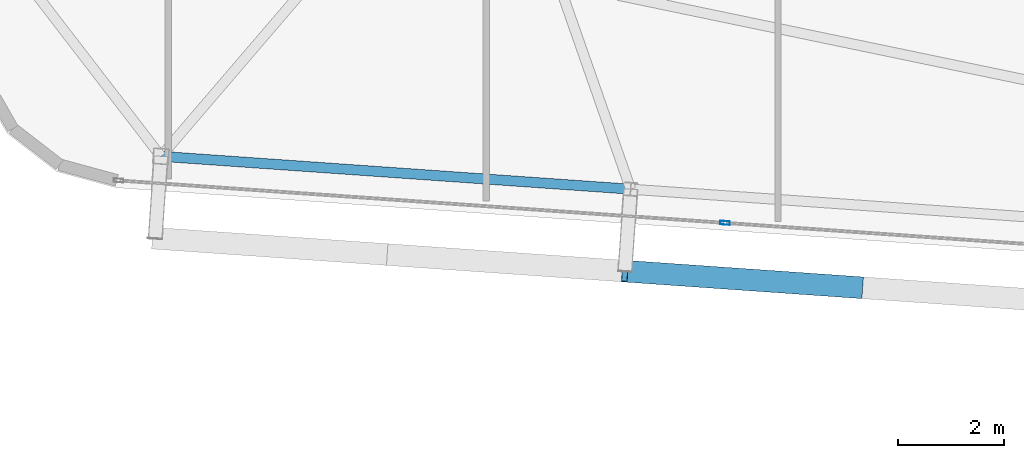
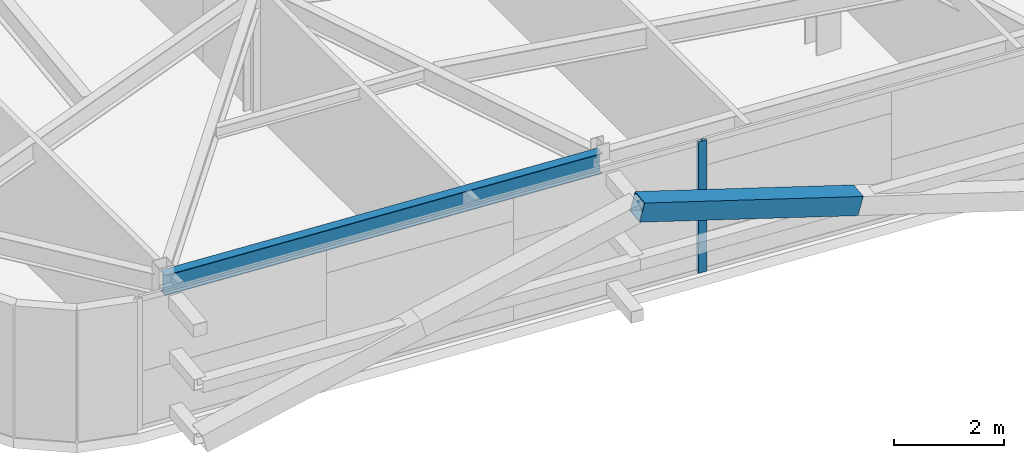
# One storey, part 7 of 39: 2 members, 1 beam, 1 element without a shape of its own.
"""IFC4 building model written with IfcOpenShell, lengths in metres."""

from ifc_helpers import new_model, si_unit, direction, frame, origin, origin_2d, place, context, subcontext, project, spatial, hollow_rectangle, i_section, extrude, source, transform, mapped, material, layer, layer_set, material_profile, profile_set, type_object, element, aggregate, save


model = new_model("IFC4")

# Units and contexts
model_context = context("Model", 3, precision=1e-05, world=origin(), true_north=direction((0.0, 1.0)))
body_context = subcontext(model_context, "Body", "Model", "MODEL_VIEW")
ifc_project = project(units=[si_unit("LENGTHUNIT", "METRE"), si_unit("AREAUNIT", "SQUARE_METRE"), si_unit("VOLUMEUNIT", "CUBIC_METRE"), si_unit("PLANEANGLEUNIT", "RADIAN"), si_unit("MASSUNIT", "GRAM", prefix="KILO")], contexts=[model_context])

# Site, building, storey
site_placement = place(None, origin())
site = spatial("IfcSite", under=ifc_project, at=site_placement, CompositionType="ELEMENT")
building_placement = place(site_placement, origin())
building = spatial("IfcBuilding", under=site, at=building_placement, Name="Taldren Reach Tower", CompositionType="ELEMENT")
storey_placement = place(building_placement, frame((0.0, 0.0, 120.39990234375)))
storey = spatial("IfcBuildingStorey", under=building, at=storey_placement, Name="L36", CompositionType="ELEMENT", Elevation=120.39990234375)

# Beam
ifc_material_1 = material(Name="Steel Gr 350 (350PLUS)", Category="steel")
ifc_material_profile_1 = material_profile(ifc_material_1, i_section(OverallWidth=0.18994140625, OverallDepth=0.4541015625, WebThickness=0.008544921875, FlangeThickness=0.0126953125, at=origin_2d()), Name="460UB67.1")
ifc_profile_set_1 = profile_set([ifc_material_profile_1], Name="Steel Gr 350 (350PLUS)")
beam_type = type_object("IfcBeamType", Name="SP-UB460B", PredefinedType="SPANDREL", material=ifc_profile_set_1)
shared_shape_1 = source(origin(), body_context, "Body", "SweptSolid", [
    extrude(i_section(OverallWidth=0.18994140625, OverallDepth=0.4541015625, WebThickness=0.008544921875, FlangeThickness=0.0126953125, at=origin_2d()), origin(), (0.0, 0.0, 1.0), 8.880126953125),
])
beam_placement = place(storey_placement, frame((11.863525390625, 5.33837890625, 2.703125), z_axis=(0.997564479639, -0.069750333063, 0.0), x_axis=(0.069750333063, 0.997564479639, 0.0)))
element("IfcBeam", 1, at=beam_placement, inside=storey, type_object=beam_type, Name="Perimeter spandrel B3 S1-S2 L36", PredefinedType="SPANDREL", context=body_context, shape_type="MappedRepresentation", body=[
    mapped(shared_shape_1, transform((0.0, 0.0, 0.0), scale=1.0)),
])

# Member
ifc_material_2 = material(Name="Steel Gr 450 (C450L0)", Category="steel")
ifc_material_profile_2 = material_profile(ifc_material_2, hollow_rectangle(XDim=0.409912109375, YDim=0.409912109375, WallThickness=0.01611328125, at=origin_2d()), Name="410x410x16.0SHS")
ifc_profile_set_2 = profile_set([ifc_material_profile_2], Name="Steel Gr 450 (C450L0)")
member_type_1 = type_object("IfcMemberType", Name="MB-EXO406", PredefinedType="BRACE", material=ifc_profile_set_2)
shared_shape_2 = source(origin(), body_context, "Body", "SweptSolid", [
    extrude(hollow_rectangle(XDim=0.409912109375, YDim=0.409912109375, WallThickness=0.01611328125, at=origin_2d()), origin(), (0.0, 0.0, 1.0), 4.603271484375),
])
member_1_placement = place(storey_placement, frame((25.04296875, 2.863037109375, 1.43505859375), z_axis=(-0.962182351074, 0.067302910567, 0.263961060594), x_axis=(-0.06977769246, -0.997562566276, 0.0)))
element("IfcMember", 2, at=member_1_placement, inside=storey, type_object=member_type_1, Name="Exoskeleton Diagrid Brace B3-S2 L36", PredefinedType="BRACE", context=body_context, shape_type="MappedRepresentation", body=[
    mapped(shared_shape_2, transform((0.0, 0.0, 0.0), scale=1.0)),
])

# Curtain wall, member
ifc_material_3 = material(Name="Aluminium and Low-E Glass Unitised System", Category="aluminium")
ifc_layer = layer(ifc_material_3, 0.159912109375)
ifc_layer_set = layer_set([ifc_layer], Name="Aluminium and Low-E Glass Unitised System")
curtain_wall_type = type_object("IfcCurtainWallType", Name="CW-SYS-4", PredefinedType="NOTDEFINED", material=ifc_layer_set)
curtain_wall_placement = place(storey_placement, origin())
curtain_wall = element("IfcCurtainWall", 3, at=curtain_wall_placement, inside=storey, type_object=curtain_wall_type, Name="Unitised curtain wall CW-L36-S", PredefinedType="NOTDEFINED")
ifc_material_4 = material(Name="Anodised Aluminium 6063-T6", Category="aluminium")
ifc_material_profile_3 = material_profile(ifc_material_4, hollow_rectangle(XDim=0.070068359375, YDim=0.179931640625, WallThickness=0.00390625, at=origin_2d()), Name="ALU-180x70x4RHS")
ifc_profile_set_3 = profile_set([ifc_material_profile_3], Name="Anodised Aluminium 6063-T6")
member_type_2 = type_object("IfcMemberType", Name="CW-MUL-180", PredefinedType="MULLION", material=ifc_profile_set_3)
shared_shape_3 = source(origin(), body_context, "Body", "SweptSolid", [
    extrude(hollow_rectangle(XDim=0.070068359375, YDim=0.179931640625, WallThickness=0.00390625, at=origin_2d()), origin(), (0.0, 0.0, 1.0), 2.93017578125),
])
member_2_placement = place(storey_placement, frame((22.501953125, 4.083251953125, 0.0), z_axis=(0.0, 0.0, 1.0), x_axis=(0.06975651593, 0.99756404731, 0.0)))
member_2 = element("IfcMember", 4, at=member_2_placement, type_object=member_type_2, Name="CW-4 mullion 2", PredefinedType="MULLION", context=body_context, shape_type="MappedRepresentation", body=[
    mapped(shared_shape_3, transform((0.0, 0.0, 0.0), scale=1.0)),
])
aggregate(curtain_wall, [member_2])

save(model, "model.ifc")
